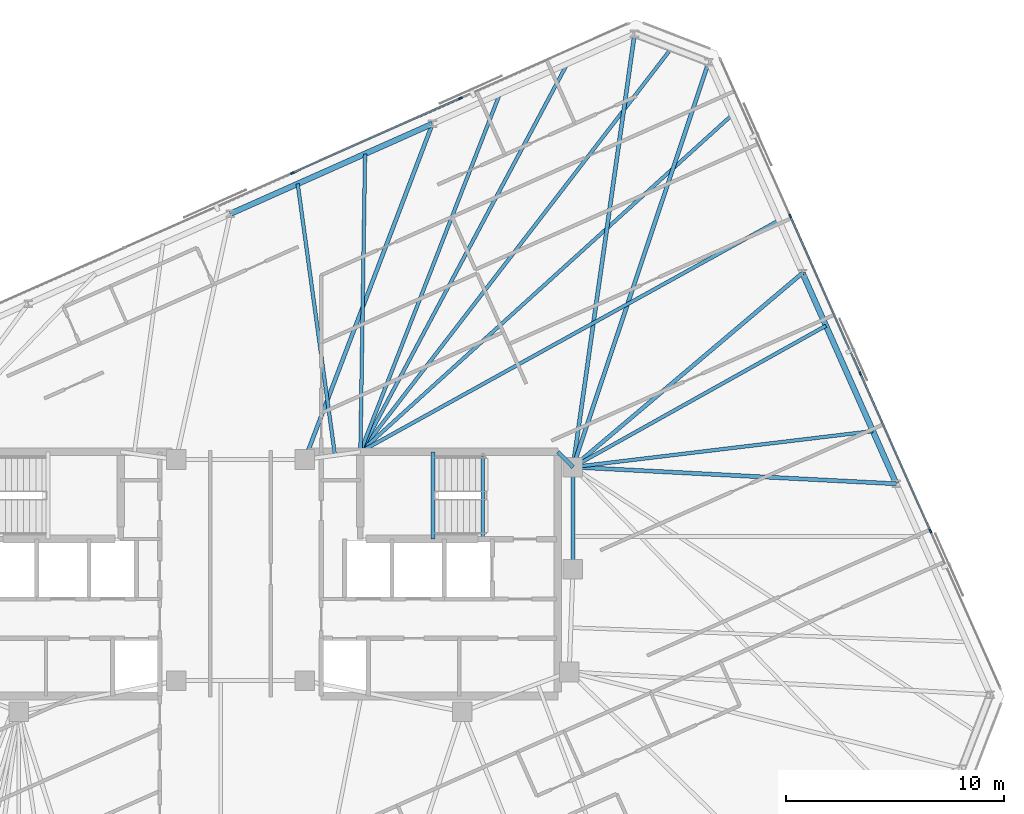
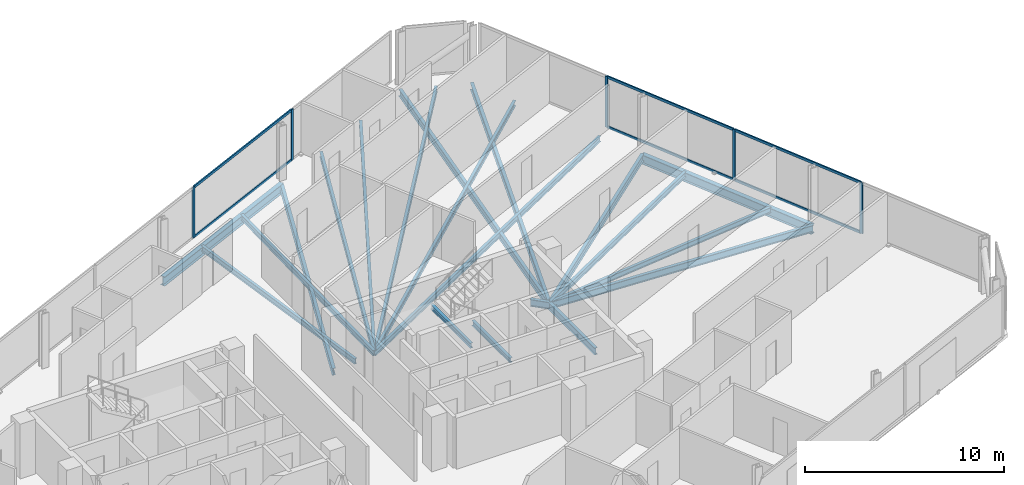
# One storey, part 10 of 19: 20 beams, 11 members, 2 elements without a shape of their own.
"""IFC4 building model written with IfcOpenShell, lengths in metres."""

from ifc_helpers import new_model, si_unit, direction, frame, origin, origin_2d, place, context, subcontext, project, spatial, rectangle, i_section, extrude, material, material_profile, profile_set, type_object, element, aggregate, save


model = new_model("IFC4")

# Units and contexts
model_context = context("Model", 3, precision=1e-05, world=origin(), true_north=direction((0.0, 1.0)))
body_context = subcontext(model_context, "Body", "Model", "MODEL_VIEW")
ifc_project = project(units=[si_unit("LENGTHUNIT", "METRE"), si_unit("AREAUNIT", "SQUARE_METRE"), si_unit("VOLUMEUNIT", "CUBIC_METRE"), si_unit("PLANEANGLEUNIT", "RADIAN"), si_unit("MASSUNIT", "GRAM", prefix="KILO")], contexts=[model_context])

# Site, building, storey
site_placement = place(None, origin())
site = spatial("IfcSite", under=ifc_project, at=site_placement, CompositionType="ELEMENT")
building_placement = place(site_placement, origin())
building = spatial("IfcBuilding", under=site, at=building_placement, Name="Menara Jurai Vektor", CompositionType="ELEMENT")
storey_placement = place(building_placement, frame((0.0, 0.0, 281.89990234375)))
storey = spatial("IfcBuildingStorey", under=building, at=storey_placement, Name="L75", CompositionType="ELEMENT", Elevation=281.89990234375)

# Curtain wall, members
ifc_material_1 = material(Name="Anodised Pale Aluminium & Low-E Double Glazing", Category="aluminium")
curtain_wall_type = type_object("IfcCurtainWallType", Name="CW-BLK5", PredefinedType="NOTDEFINED", material=ifc_material_1)
curtain_wall_1_placement = place(storey_placement, origin())
curtain_wall_1 = element("IfcCurtainWall", 1, at=curtain_wall_1_placement, inside=storey, type_object=curtain_wall_type, Name="Unitised Curtain Wall L75 F03", PredefinedType="NOTDEFINED")
ifc_material_2 = material(Name="Anodised Pale Aluminium Mullion", Category="aluminium")
ifc_material_profile_1 = material_profile(ifc_material_2, rectangle(XDim=0.074951171875, YDim=0.175048828125, at=origin_2d()), Name="ALU MUL 75x175")
ifc_profile_set_1 = profile_set([ifc_material_profile_1], Name="Anodised Pale Aluminium Mullion")
member_type_1 = type_object("IfcMemberType", Name="CW-BLK5-MUL", PredefinedType="MULLION", material=ifc_profile_set_1)
member_1_placement = place(storey_placement, frame((31.6533203125, 1.9658203125, 0.0), z_axis=(0.0, 0.0, 1.0), x_axis=(-0.913546127706, -0.406735138086, 0.0)))
member_1 = element("IfcMember", 2, at=member_1_placement, type_object=member_type_1, Name="CW-05 mullion 2", PredefinedType="MULLION", context=body_context, shape_type="SweptSolid", body=[
    extrude(rectangle(XDim=0.074951171875, YDim=0.175048828125, at=origin_2d()), origin(), (0.0, 0.0, 1.0), 3.125),
])
member_2_placement = place(storey_placement, frame((28.43603515625, 9.19189453125, 0.0), z_axis=(0.0, 0.0, 1.0), x_axis=(-0.913546127706, -0.406735138086, 0.0)))
member_2 = element("IfcMember", 3, at=member_2_placement, type_object=member_type_1, Name="CW-05 mullion 3", PredefinedType="MULLION", context=body_context, shape_type="SweptSolid", body=[
    extrude(rectangle(XDim=0.074951171875, YDim=0.175048828125, at=origin_2d()), origin(), (0.0, 0.0, 1.0), 3.125),
])
member_3_placement = place(storey_placement, frame((25.21875, 16.418212890625, 0.0), z_axis=(0.0, 0.0, 1.0), x_axis=(-0.913546127706, -0.406735138086, 0.0)))
member_3 = element("IfcMember", 4, at=member_3_placement, type_object=member_type_1, Name="CW-05 mullion 4", PredefinedType="MULLION", context=body_context, shape_type="SweptSolid", body=[
    extrude(rectangle(XDim=0.074951171875, YDim=0.175048828125, at=origin_2d()), origin(), (0.0, 0.0, 1.0), 3.125),
])

curtain_wall_2_placement = place(storey_placement, origin())
curtain_wall_2 = element("IfcCurtainWall", 5, at=curtain_wall_2_placement, inside=storey, type_object=curtain_wall_type, Name="Unitised Curtain Wall L75 F05", PredefinedType="NOTDEFINED")
member_4_placement = place(storey_placement, frame((10.0927734375, 21.822998046875, 0.0), z_axis=(0.0, 0.0, 1.0), x_axis=(0.406735498684, -0.913545967158, 0.0)))
member_4 = element("IfcMember", 6, at=member_4_placement, type_object=member_type_1, Name="CW-05 mullion 2", PredefinedType="MULLION", context=body_context, shape_type="SweptSolid", body=[
    extrude(rectangle(XDim=0.074951171875, YDim=0.175048828125, at=origin_2d()), origin(), (0.0, 0.0, 1.0), 3.125),
])
member_5_placement = place(storey_placement, frame((2.38232421875, 18.39013671875, 0.0), z_axis=(0.0, 0.0, 1.0), x_axis=(0.406735498684, -0.913545967158, 0.0)))
member_5 = element("IfcMember", 7, at=member_5_placement, type_object=member_type_1, Name="CW-05 mullion 3", PredefinedType="MULLION", context=body_context, shape_type="SweptSolid", body=[
    extrude(rectangle(XDim=0.074951171875, YDim=0.175048828125, at=origin_2d()), origin(), (0.0, 0.0, 1.0), 3.125),
])

# Member
ifc_material_3 = material(Name="Anodised Pale Aluminium Transom", Category="aluminium")
ifc_material_profile_2 = material_profile(ifc_material_3, rectangle(XDim=0.074951171875, YDim=0.155029296875, at=origin_2d()), Name="ALU TRN 75x155")
ifc_profile_set_2 = profile_set([ifc_material_profile_2], Name="Anodised Pale Aluminium Transom")
member_type_2 = type_object("IfcMemberType", Name="CW-BLK5-TRN", PredefinedType="USERDEFINED", material=ifc_profile_set_2)
member_6_placement = place(storey_placement, frame((31.63818359375, 2.0, 0.03759765625), z_axis=(-0.406731062496, 0.913547942256, 0.0), x_axis=(-0.913547942256, -0.406731062496, 0.0)))
member_6 = element("IfcMember", 8, at=member_6_placement, type_object=member_type_2, Name="CW-05 transom 2.1", ObjectType="TRANSOM", PredefinedType="USERDEFINED", context=body_context, shape_type="SweptSolid", body=[
    extrude(rectangle(XDim=0.074951171875, YDim=0.155029296875, at=origin_2d()), origin(), (0.0, 0.0, 1.0), 7.8349609375),
])

member_7_placement = place(storey_placement, frame((31.63818359375, 2.0, 3.087646484375), z_axis=(-0.406731062496, 0.913547942256, 0.0), x_axis=(-0.913547942256, -0.406731062496, 0.0)))
member_7 = element("IfcMember", 9, at=member_7_placement, type_object=member_type_2, Name="CW-05 transom 2.2", ObjectType="TRANSOM", PredefinedType="USERDEFINED", context=body_context, shape_type="SweptSolid", body=[
    extrude(rectangle(XDim=0.074951171875, YDim=0.155029296875, at=origin_2d()), origin(), (0.0, 0.0, 1.0), 7.8349609375),
])

member_8_placement = place(storey_placement, frame((28.4208984375, 9.226318359375, 0.03759765625), z_axis=(-0.40674264085, 0.913542787238, 0.0), x_axis=(-0.913542787238, -0.40674264085, 0.0)))
member_8 = element("IfcMember", 10, at=member_8_placement, type_object=member_type_2, Name="CW-05 transom 3.1", ObjectType="TRANSOM", PredefinedType="USERDEFINED", context=body_context, shape_type="SweptSolid", body=[
    extrude(rectangle(XDim=0.074951171875, YDim=0.155029296875, at=origin_2d()), origin(), (0.0, 0.0, 1.0), 7.8349609375),
])

member_9_placement = place(storey_placement, frame((28.4208984375, 9.226318359375, 3.087646484375), z_axis=(-0.40674264085, 0.913542787238, 0.0), x_axis=(-0.913542787238, -0.40674264085, 0.0)))
member_9 = element("IfcMember", 11, at=member_9_placement, type_object=member_type_2, Name="CW-05 transom 3.2", ObjectType="TRANSOM", PredefinedType="USERDEFINED", context=body_context, shape_type="SweptSolid", body=[
    extrude(rectangle(XDim=0.074951171875, YDim=0.155029296875, at=origin_2d()), origin(), (0.0, 0.0, 1.0), 7.8349609375),
])

aggregate(curtain_wall_1, [member_1, member_2, member_3, member_6, member_7, member_8, member_9])

member_10_placement = place(storey_placement, frame((10.058349609375, 21.807861328125, 0.03759765625), z_axis=(-0.913546575494, -0.406734132331, 0.0), x_axis=(0.406734132331, -0.913546575494, 0.0)))
member_10 = element("IfcMember", 12, at=member_10_placement, type_object=member_type_2, Name="CW-05 transom 2.1", ObjectType="TRANSOM", PredefinedType="USERDEFINED", context=body_context, shape_type="SweptSolid", body=[
    extrude(rectangle(XDim=0.074951171875, YDim=0.155029296875, at=origin_2d()), origin(), (0.0, 0.0, 1.0), 8.364990234375),
])

member_11_placement = place(storey_placement, frame((10.058349609375, 21.807861328125, 3.087646484375), z_axis=(-0.913546575494, -0.406734132331, 0.0), x_axis=(0.406734132331, -0.913546575494, 0.0)))
member_11 = element("IfcMember", 13, at=member_11_placement, type_object=member_type_2, Name="CW-05 transom 2.2", ObjectType="TRANSOM", PredefinedType="USERDEFINED", context=body_context, shape_type="SweptSolid", body=[
    extrude(rectangle(XDim=0.074951171875, YDim=0.155029296875, at=origin_2d()), origin(), (0.0, 0.0, 1.0), 8.364990234375),
])

aggregate(curtain_wall_2, [member_4, member_5, member_10, member_11])

# Beams
ifc_material_4 = material(Name="Steel S355", Category="steel")
ifc_material_profile_3 = material_profile(ifc_material_4, i_section(OverallWidth=0.18505859375, OverallDepth=0.429931640625, WebThickness=0.010986328125, FlangeThickness=0.01806640625, at=origin_2d()), Name="PG 430x185x76")
ifc_profile_set_3 = profile_set([ifc_material_profile_3], Name="Steel S355")
beam_type_1 = type_object("IfcBeamType", Name="STR-BM-430", PredefinedType="BEAM", material=ifc_profile_set_3)
beam_1_placement = place(storey_placement, frame((14.56005859375, 5.60009765625, -0.43994140625), z_axis=(0.701871936926, -0.712303154672, 0.0), x_axis=(0.712303154672, 0.701871936926, 0.0)))
element("IfcBeam", 14, at=beam_1_placement, inside=storey, type_object=beam_type_1, Name="Core Ring Header Girder L75-CHE-N2", PredefinedType="BEAM", context=body_context, shape_type="SweptSolid", body=[
    extrude(i_section(OverallWidth=0.18505859375, OverallDepth=0.429931640625, WebThickness=0.010986328125, FlangeThickness=0.01806640625, at=origin_2d()), origin(), (0.0, 0.0, 1.0), 0.98291015625),
])
beam_2_placement = place(storey_placement, frame((15.25, 0.219970703125, -0.43994140625), z_axis=(0.0, 1.0, 0.0), x_axis=(-1.0, 0.0, 0.0)))
element("IfcBeam", 15, at=beam_2_placement, inside=storey, type_object=beam_type_1, Name="Core Ring Header Girder L75-CHE-E1", PredefinedType="BEAM", context=body_context, shape_type="SweptSolid", body=[
    extrude(i_section(OverallWidth=0.18505859375, OverallDepth=0.429931640625, WebThickness=0.010986328125, FlangeThickness=0.01806640625, at=origin_2d()), origin(), (0.0, 0.0, 1.0), 4.679931640625),
])
beam_3_placement = place(storey_placement, frame((30.086181640625, 4.13330078125, -0.43994140625), z_axis=(-0.998667716832, 0.051602241782, 0.0), x_axis=(-0.051602241782, -0.998667716832, 0.0)))
element("IfcBeam", 16, at=beam_3_placement, inside=storey, type_object=beam_type_1, Name="Radial Floor Girder L75-E2", PredefinedType="BEAM", context=body_context, shape_type="SweptSolid", body=[
    extrude(i_section(OverallWidth=0.18505859375, OverallDepth=0.429931640625, WebThickness=0.010986328125, FlangeThickness=0.01806640625, at=origin_2d()), origin(), (0.0, 0.0, 1.0), 14.85595703125),
])
beam_4_placement = place(storey_placement, frame((25.781005859375, 13.80322265625, -0.43994140625), z_axis=(-0.763655500673, -0.6456239434, 0.0), x_axis=(0.6456239434, -0.763655500673, 0.0)))
element("IfcBeam", 17, at=beam_4_placement, inside=storey, type_object=beam_type_1, Name="Radial Floor Girder L75-E3", PredefinedType="BEAM", context=body_context, shape_type="SweptSolid", body=[
    extrude(i_section(OverallWidth=0.18505859375, OverallDepth=0.429931640625, WebThickness=0.010986328125, FlangeThickness=0.01806640625, at=origin_2d()), origin(), (0.0, 0.0, 1.0), 13.790283203125),
])
beam_5_placement = place(storey_placement, frame((21.4755859375, 23.473388671875, -0.43994140625), z_axis=(-0.317808893183, -0.948154790851, 0.0), x_axis=(0.948154790851, -0.317808893183, 0.0)))
element("IfcBeam", 18, at=beam_5_placement, inside=storey, type_object=beam_type_1, Name="Radial Floor Girder L75-E4", PredefinedType="BEAM", context=body_context, shape_type="SweptSolid", body=[
    extrude(i_section(OverallWidth=0.18505859375, OverallDepth=0.429931640625, WebThickness=0.010986328125, FlangeThickness=0.01806640625, at=origin_2d()), origin(), (0.0, 0.0, 1.0), 19.589111328125),
])
beam_6_placement = place(storey_placement, frame((18.07958984375, 24.777099609375, -0.43994140625), z_axis=(-0.140932755913, -0.990019170678, 0.0), x_axis=(0.990019170678, -0.140932755913, 0.0)))
element("IfcBeam", 19, at=beam_6_placement, inside=storey, type_object=beam_type_1, Name="Radial Floor Girder L75-N1", PredefinedType="BEAM", context=body_context, shape_type="SweptSolid", body=[
    extrude(i_section(OverallWidth=0.18505859375, OverallDepth=0.429931640625, WebThickness=0.010986328125, FlangeThickness=0.01806640625, at=origin_2d()), origin(), (0.0, 0.0, 1.0), 20.07763671875),
])
beam_7_placement = place(storey_placement, frame((8.805908203125, 20.648193359375, -0.43994140625), z_axis=(-0.355464051758, -0.934689952823, 0.0), x_axis=(0.934689952823, -0.355464051758, 0.0)))
element("IfcBeam", 20, at=beam_7_placement, inside=storey, type_object=beam_type_1, Name="Radial Floor Girder L75-N2", PredefinedType="BEAM", context=body_context, shape_type="SweptSolid", body=[
    extrude(i_section(OverallWidth=0.18505859375, OverallDepth=0.429931640625, WebThickness=0.010986328125, FlangeThickness=0.01806640625, at=origin_2d()), origin(), (0.0, 0.0, 1.0), 16.47412109375),
])
ifc_material_profile_4 = material_profile(ifc_material_4, i_section(OverallWidth=0.1650390625, OverallDepth=0.330078125, WebThickness=0.009033203125, FlangeThickness=0.013916015625, at=origin_2d()), Name="PG 330x165x46")
ifc_profile_set_4 = profile_set([ifc_material_profile_4], Name="Steel S355")
beam_type_2 = type_object("IfcBeamType", Name="STR-JS-330", PredefinedType="JOIST", material=ifc_profile_set_4)
beam_8_placement = place(storey_placement, frame((29.010009765625, 6.55078125, -0.389892578125), z_axis=(-0.992879589053, -0.119122296999, 0.0), x_axis=(0.119122296999, -0.992879589053, 0.0)))
element("IfcBeam", 21, at=beam_8_placement, inside=storey, type_object=beam_type_2, Name="Radial Secondary Floor Joist L75-JS10", PredefinedType="JOIST", context=body_context, shape_type="SweptSolid", body=[
    extrude(i_section(OverallWidth=0.1650390625, OverallDepth=0.330078125, WebThickness=0.009033203125, FlangeThickness=0.013916015625, at=origin_2d()), origin(), (0.0, 0.0, 1.0), 13.858642578125),
])
beam_9_placement = place(storey_placement, frame((26.857177734375, 11.3857421875, -0.389892578125), z_axis=(-0.872960269613, -0.487791315705, 0.0), x_axis=(0.487791315705, -0.872960269613, 0.0)))
element("IfcBeam", 22, at=beam_9_placement, inside=storey, type_object=beam_type_2, Name="Radial Secondary Floor Joist L75-JS11", PredefinedType="JOIST", context=body_context, shape_type="SweptSolid", body=[
    extrude(i_section(OverallWidth=0.1650390625, OverallDepth=0.330078125, WebThickness=0.009033203125, FlangeThickness=0.013916015625, at=origin_2d()), origin(), (0.0, 0.0, 1.0), 13.29638671875),
])
beam_10_placement = place(storey_placement, frame((24.70458984375, 16.220703125, -0.389892578125), z_axis=(-0.87509599458, -0.483949377797, 0.0), x_axis=(0.483949377797, -0.87509599458, 0.0)))
element("IfcBeam", 23, at=beam_10_placement, inside=storey, type_object=beam_type_2, Name="Radial Secondary Floor Joist L75-JS12", PredefinedType="JOIST", context=body_context, shape_type="SweptSolid", body=[
    extrude(i_section(OverallWidth=0.1650390625, OverallDepth=0.330078125, WebThickness=0.009033203125, FlangeThickness=0.013916015625, at=origin_2d()), origin(), (0.0, 0.0, 1.0), 21.94580078125),
])
beam_11_placement = place(storey_placement, frame((22.552001953125, 21.055908203125, -0.389892578125), z_axis=(-0.74093432875, -0.67157748658, 0.0), x_axis=(0.67157748658, -0.74093432875, 0.0)))
element("IfcBeam", 24, at=beam_11_placement, inside=storey, type_object=beam_type_2, Name="Radial Secondary Floor Joist L75-JS13", PredefinedType="JOIST", context=body_context, shape_type="SweptSolid", body=[
    extrude(i_section(OverallWidth=0.1650390625, OverallDepth=0.330078125, WebThickness=0.009033203125, FlangeThickness=0.013916015625, at=origin_2d()), origin(), (0.0, 0.0, 1.0), 23.01416015625),
])
beam_12_placement = place(storey_placement, frame((19.777587890625, 24.125244140625, -0.389892578125), z_axis=(-0.610448519134, -0.792055935832, 0.0), x_axis=(0.792055935832, -0.610448519134, 0.0)))
element("IfcBeam", 25, at=beam_12_placement, inside=storey, type_object=beam_type_2, Name="Radial Secondary Floor Joist L75-JS14", PredefinedType="JOIST", context=body_context, shape_type="SweptSolid", body=[
    extrude(i_section(OverallWidth=0.1650390625, OverallDepth=0.330078125, WebThickness=0.009033203125, FlangeThickness=0.013916015625, at=origin_2d()), origin(), (0.0, 0.0, 1.0), 23.388671875),
])
beam_13_placement = place(storey_placement, frame((14.98828125, 23.400634765625, -0.389892578125), z_axis=(-0.470382173413, -0.882462809945, 0.0), x_axis=(0.882462809945, -0.470382173413, 0.0)))
element("IfcBeam", 26, at=beam_13_placement, inside=storey, type_object=beam_type_2, Name="Radial Secondary Floor Joist L75-JS15", PredefinedType="JOIST", context=body_context, shape_type="SweptSolid", body=[
    extrude(i_section(OverallWidth=0.1650390625, OverallDepth=0.330078125, WebThickness=0.009033203125, FlangeThickness=0.013916015625, at=origin_2d()), origin(), (0.0, 0.0, 1.0), 20.17138671875),
])
beam_14_placement = place(storey_placement, frame((11.897216796875, 22.0244140625, -0.389892578125), z_axis=(-0.36293816309, -0.931813226872, 0.0), x_axis=(0.931813226872, -0.36293816309, 0.0)))
element("IfcBeam", 27, at=beam_14_placement, inside=storey, type_object=beam_type_2, Name="Radial Secondary Floor Joist L75-JS16", PredefinedType="JOIST", context=body_context, shape_type="SweptSolid", body=[
    extrude(i_section(OverallWidth=0.1650390625, OverallDepth=0.330078125, WebThickness=0.009033203125, FlangeThickness=0.013916015625, at=origin_2d()), origin(), (0.0, 0.0, 1.0), 17.626220703125),
])
beam_15_placement = place(storey_placement, frame((5.71484375, 19.27197265625, -0.389892578125), z_axis=(-0.01571234584, -0.999876553475, 0.0), x_axis=(0.999876553475, -0.01571234584, 0.0)))
element("IfcBeam", 28, at=beam_15_placement, inside=storey, type_object=beam_type_2, Name="Radial Secondary Floor Joist L75-JS17", PredefinedType="JOIST", context=body_context, shape_type="SweptSolid", body=[
    extrude(i_section(OverallWidth=0.1650390625, OverallDepth=0.330078125, WebThickness=0.009033203125, FlangeThickness=0.013916015625, at=origin_2d()), origin(), (0.0, 0.0, 1.0), 13.673583984375),
])
beam_16_placement = place(storey_placement, frame((2.62353515625, 17.8955078125, -0.389892578125), z_axis=(0.13599011119, -0.990710194587, 0.0), x_axis=(0.990710194587, 0.13599011119, 0.0)))
element("IfcBeam", 29, at=beam_16_placement, inside=storey, type_object=beam_type_2, Name="Radial Secondary Floor Joist L75-JS18", PredefinedType="JOIST", context=body_context, shape_type="SweptSolid", body=[
    extrude(i_section(OverallWidth=0.1650390625, OverallDepth=0.330078125, WebThickness=0.009033203125, FlangeThickness=0.013916015625, at=origin_2d()), origin(), (0.0, 0.0, 1.0), 12.572265625),
])
ifc_material_profile_5 = material_profile(ifc_material_4, i_section(OverallWidth=0.1650390625, OverallDepth=0.302978515625, WebThickness=0.006103515625, FlangeThickness=0.010009765625, FilletRadius=0.009033203125, at=origin_2d()), Name="UKB 305x165x40")
ifc_profile_set_5 = profile_set([ifc_material_profile_5], Name="Steel S355")
beam_type_3 = type_object("IfcBeamType", Name="STR-LN-305", PredefinedType="LINTEL", material=ifc_profile_set_5)
beam_17_placement = place(storey_placement, frame((11.1201171875, 1.60009765625, -0.37646484375), z_axis=(0.0, 1.0, 0.0), x_axis=(-1.0, 0.0, 0.0)))
element("IfcBeam", 30, at=beam_17_placement, inside=storey, type_object=beam_type_3, Name="Stair Well Floor Trimmer ST2 L75", PredefinedType="LINTEL", context=body_context, shape_type="SweptSolid", body=[
    extrude(i_section(OverallWidth=0.1650390625, OverallDepth=0.302978515625, WebThickness=0.006103515625, FlangeThickness=0.010009765625, FilletRadius=0.009033203125, at=origin_2d()), origin(), (0.0, 0.0, 1.0), 3.81982421875),
])
beam_18_placement = place(storey_placement, frame((8.830078125, 1.60009765625, 1.323486328125), z_axis=(0.0, 1.0, 0.0), x_axis=(-1.0, 0.0, 0.0)))
element("IfcBeam", 31, at=beam_18_placement, inside=storey, type_object=beam_type_3, Name="Stair Half-Landing Nosing Trimmer ST2-1 L75", PredefinedType="LINTEL", context=body_context, shape_type="SweptSolid", body=[
    extrude(i_section(OverallWidth=0.1650390625, OverallDepth=0.302978515625, WebThickness=0.006103515625, FlangeThickness=0.010009765625, FilletRadius=0.009033203125, at=origin_2d()), origin(), (0.0, 0.0, 1.0), 4.0),
])
ifc_material_profile_6 = material_profile(ifc_material_4, i_section(OverallWidth=0.260009765625, OverallDepth=0.570068359375, WebThickness=0.013916015625, FlangeThickness=0.02392578125, at=origin_2d()), Name="PG 570x260x145")
ifc_profile_set_6 = profile_set([ifc_material_profile_6], Name="Steel S355")
beam_type_4 = type_object("IfcBeamType", Name="STR-SP-570", PredefinedType="SPANDREL", material=ifc_profile_set_6)
beam_19_placement = place(storey_placement, frame((30.086181640625, 4.13330078125, -0.510009765625), z_axis=(-0.406724751578, 0.913550751986, 0.0), x_axis=(-0.913550751986, -0.406724751578, 0.0)))
element("IfcBeam", 32, at=beam_19_placement, inside=storey, type_object=beam_type_4, Name="Exoskeleton Spandrel Beam L75-08", PredefinedType="SPANDREL", context=body_context, shape_type="SweptSolid", body=[
    extrude(i_section(OverallWidth=0.260009765625, OverallDepth=0.570068359375, WebThickness=0.013916015625, FlangeThickness=0.02392578125, at=origin_2d()), origin(), (0.0, 0.0, 1.0), 10.5849609375),
])
beam_20_placement = place(storey_placement, frame((8.805908203125, 20.648193359375, -0.510009765625), z_axis=(-0.913541582548, -0.406745346568, 0.0), x_axis=(0.406745346568, -0.913541582548, 0.0)))
element("IfcBeam", 33, at=beam_20_placement, inside=storey, type_object=beam_type_4, Name="Exoskeleton Spandrel Beam L75-12", PredefinedType="SPANDREL", context=body_context, shape_type="SweptSolid", body=[
    extrude(i_section(OverallWidth=0.260009765625, OverallDepth=0.570068359375, WebThickness=0.013916015625, FlangeThickness=0.02392578125, at=origin_2d()), origin(), (0.0, 0.0, 1.0), 10.151123046875),
])

save(model, "model.ifc")
